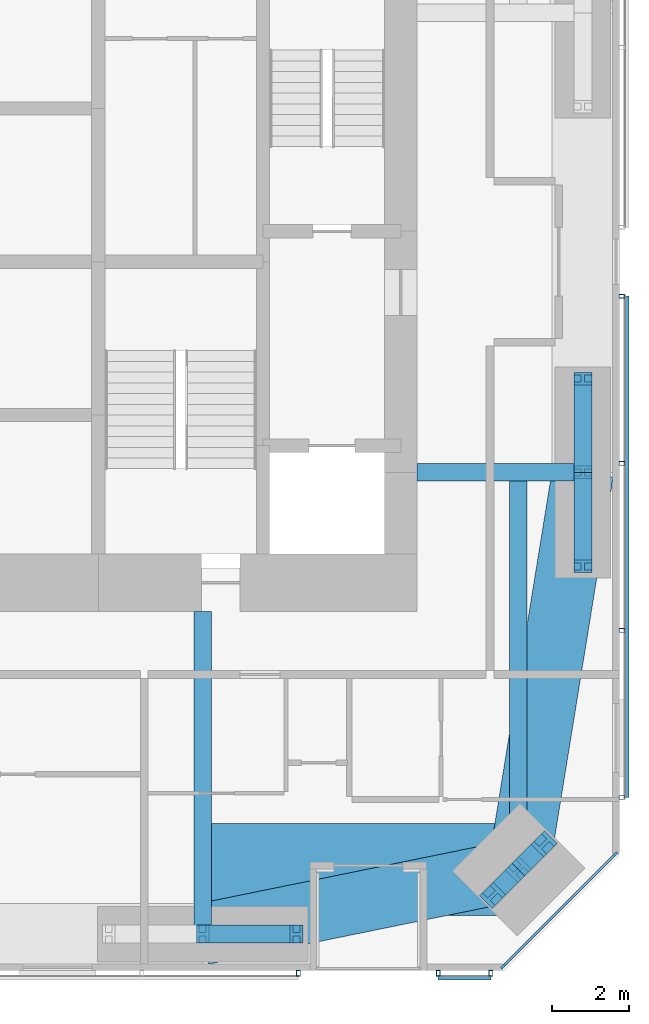
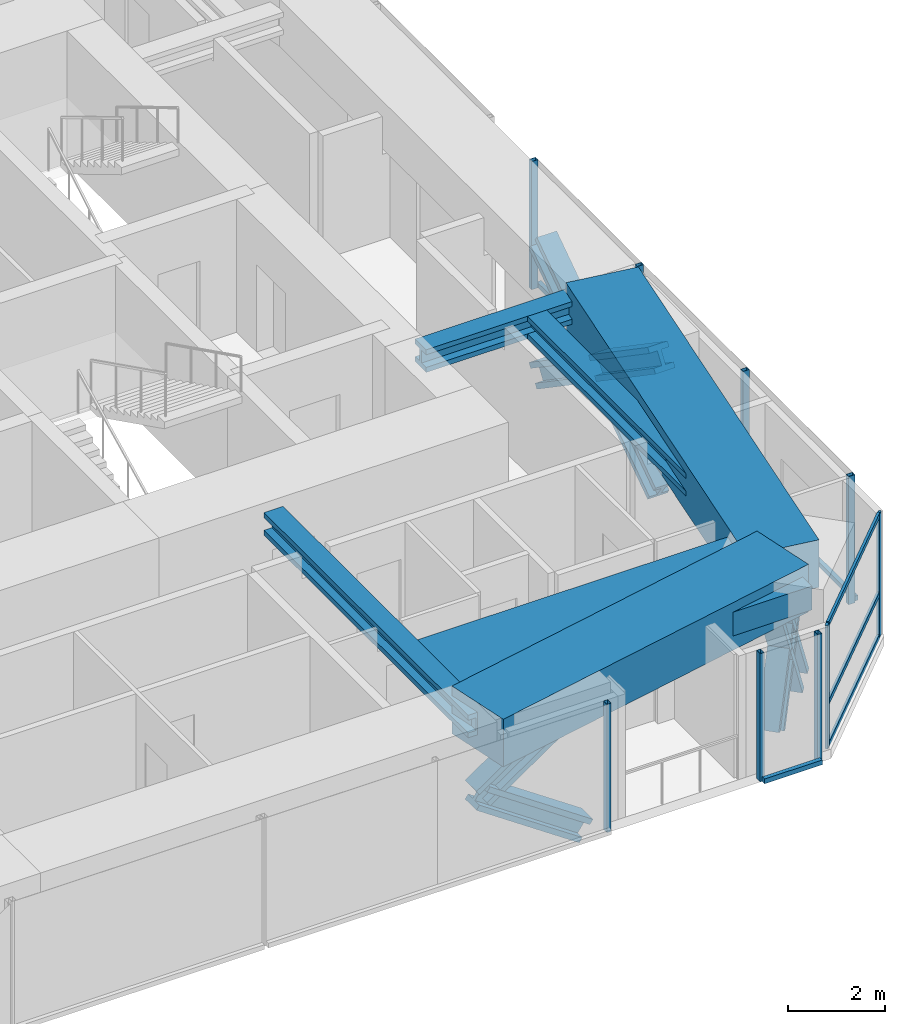
# One storey, part 8 of 23: 24 members, 6 beams, 4 elements without a shape of their own.
"""IFC4 building model written with IfcOpenShell, lengths in metres."""

from ifc_helpers import new_model, si_unit, direction, frame, origin, origin_2d, place, context, subcontext, project, spatial, rectangle, hollow_rectangle, i_section, extrude, material, material_profile, profile_set, type_object, element, aggregate, save


model = new_model("IFC4")

# Units and contexts
model_context = context("Model", 3, precision=1e-05, world=origin(), true_north=direction((0.0, 1.0)))
body_context = subcontext(model_context, "Body", "Model", "MODEL_VIEW")
ifc_project = project(units=[si_unit("LENGTHUNIT", "METRE"), si_unit("AREAUNIT", "SQUARE_METRE"), si_unit("VOLUMEUNIT", "CUBIC_METRE"), si_unit("PLANEANGLEUNIT", "RADIAN"), si_unit("MASSUNIT", "GRAM", prefix="KILO")], contexts=[model_context])

# Site, building, storey
site_placement = place(None, origin())
site = spatial("IfcSite", under=ifc_project, at=site_placement, CompositionType="ELEMENT")
building_placement = place(site_placement, origin())
building = spatial("IfcBuilding", under=site, at=building_placement, Name="Jalousie Tower", CompositionType="ELEMENT")
storey_placement = place(building_placement, frame((0.0, 0.0, 121.60009765625)))
storey = spatial("IfcBuildingStorey", under=building, at=storey_placement, Name="L33", CompositionType="ELEMENT", Elevation=121.60009765625)

# Curtain wall, members
ifc_material_1 = material(Name="Aluminium curtain wall", Category="aluminium")
curtain_wall_type_1 = type_object("IfcCurtainWallType", Name="CORNER WINDOW WALL", PredefinedType="USERDEFINED", material=ifc_material_1)
curtain_wall_1_placement = place(storey_placement, origin())
curtain_wall_1 = element("IfcCurtainWall", 1, at=curtain_wall_1_placement, inside=storey, type_object=curtain_wall_type_1, Name="Corner Window Wall L33 2", ObjectType="CORNER WINDOW WALL", PredefinedType="USERDEFINED")
ifc_material_2 = material(Name="Aluminium mullion", Category="aluminium")
ifc_material_profile_1 = material_profile(ifc_material_2, rectangle(XDim=0.06005859375, YDim=0.14990234375, at=origin_2d()), Name="MULLION 60x150")
ifc_profile_set_1 = profile_set([ifc_material_profile_1], Name="Aluminium mullion")
member_type_1 = type_object("IfcMemberType", Name="CORNER WINDOW WALL MULLION", PredefinedType="MULLION", material=ifc_profile_set_1)
member_1_placement = place(storey_placement, frame((46.469970703125, 0.108642578125, 0.0), z_axis=(0.0, 0.0, 1.0), x_axis=(-0.707106781187, 0.707106781187, 0.0)))
member_1 = element("IfcMember", 2, at=member_1_placement, type_object=member_type_1, Name="CW-C mullion 1", PredefinedType="MULLION", context=body_context, shape_type="SweptSolid", body=[
    extrude(rectangle(XDim=0.06005859375, YDim=0.14990234375, at=origin_2d()), origin(), (0.0, 0.0, 1.0), 3.10986328125),
])
member_2_placement = place(storey_placement, frame((49.391357421875, 3.030029296875, 0.0), z_axis=(0.0, 0.0, 1.0), x_axis=(-0.707106781187, 0.707106781187, 0.0)))
member_2 = element("IfcMember", 3, at=member_2_placement, type_object=member_type_1, Name="CW-C mullion 2", PredefinedType="MULLION", context=body_context, shape_type="SweptSolid", body=[
    extrude(rectangle(XDim=0.06005859375, YDim=0.14990234375, at=origin_2d()), origin(), (0.0, 0.0, 1.0), 3.10986328125),
])
ifc_material_3 = material(Name="Aluminium transom", Category="aluminium")
ifc_material_profile_2 = material_profile(ifc_material_3, rectangle(XDim=0.06005859375, YDim=0.1201171875, at=origin_2d()), Name="TRANSOM 60x120")
ifc_profile_set_2 = profile_set([ifc_material_profile_2], Name="Aluminium transom")
member_type_2 = type_object("IfcMemberType", Name="CORNER WINDOW WALL TRANSOM", PredefinedType="USERDEFINED", material=ifc_profile_set_2)
member_3_placement = place(storey_placement, frame((46.4912109375, 0.1298828125, 0.02978515625), z_axis=(0.707106781187, 0.707106781187, 0.0), x_axis=(-0.707106781187, 0.707106781187, 0.0)))
member_3 = element("IfcMember", 4, at=member_3_placement, type_object=member_type_2, Name="CW-C transom 1.1", ObjectType="TRANSOM", PredefinedType="USERDEFINED", context=body_context, shape_type="SweptSolid", body=[
    extrude(rectangle(XDim=0.06005859375, YDim=0.1201171875, at=origin_2d()), origin(), (0.0, 0.0, 1.0), 4.0712890625),
])
member_4_placement = place(storey_placement, frame((46.4912109375, 0.1298828125, 1.099853515625), z_axis=(0.707106781187, 0.707106781187, 0.0), x_axis=(-0.707106781187, 0.707106781187, 0.0)))
member_4 = element("IfcMember", 5, at=member_4_placement, type_object=member_type_2, Name="CW-C transom 1.2", ObjectType="TRANSOM", PredefinedType="USERDEFINED", context=body_context, shape_type="SweptSolid", body=[
    extrude(rectangle(XDim=0.06005859375, YDim=0.1201171875, at=origin_2d()), origin(), (0.0, 0.0, 1.0), 4.0712890625),
])
member_5_placement = place(storey_placement, frame((46.4912109375, 0.1298828125, 3.079833984375), z_axis=(0.707106781187, 0.707106781187, 0.0), x_axis=(-0.707106781187, 0.707106781187, 0.0)))
member_5 = element("IfcMember", 6, at=member_5_placement, type_object=member_type_2, Name="CW-C transom 1.3", ObjectType="TRANSOM", PredefinedType="USERDEFINED", context=body_context, shape_type="SweptSolid", body=[
    extrude(rectangle(XDim=0.06005859375, YDim=0.1201171875, at=origin_2d()), origin(), (0.0, 0.0, 1.0), 4.0712890625),
])
aggregate(curtain_wall_1, [member_1, member_2, member_3, member_4, member_5])

# Beams
ifc_material_4 = material(Name="Steel ASTM A992 Grade 50", Category="steel")
ifc_material_profile_3 = material_profile(ifc_material_4, i_section(OverallWidth=0.45458984375, OverallDepth=0.569091796875, WebThickness=0.077880859375, FlangeThickness=0.124755859375, at=origin_2d()), Name="W14X730")
ifc_profile_set_3 = profile_set([ifc_material_profile_3], Name="Steel ASTM A992 Grade 50")
beam_type_1 = type_object("IfcBeamType", Name="LEAN COLLECTOR W14X730", PredefinedType="BEAM", material=ifc_profile_set_3)
beam_1_placement = place(storey_placement, frame((38.625, 0.949951171875, 2.825439453125), z_axis=(0.0, 1.0, 0.0), x_axis=(-1.0, 0.0, 0.0)))
element("IfcBeam", 7, at=beam_1_placement, inside=storey, type_object=beam_type_1, Name="Lean collector under L34", PredefinedType="BEAM", context=body_context, shape_type="SweptSolid", body=[
    extrude(i_section(OverallWidth=0.45458984375, OverallDepth=0.569091796875, WebThickness=0.077880859375, FlangeThickness=0.124755859375, at=origin_2d()), origin(), (0.0, 0.0, 1.0), 8.425048828125),
])
beam_2_placement = place(storey_placement, frame((48.550048828125, 13.0, 2.825439453125), z_axis=(-1.0, 0.0, 0.0), x_axis=(0.0, -1.0, 0.0)))
element("IfcBeam", 8, at=beam_2_placement, inside=storey, type_object=beam_type_1, Name="Lean collector under L34", PredefinedType="BEAM", context=body_context, shape_type="SweptSolid", body=[
    extrude(i_section(OverallWidth=0.45458984375, OverallDepth=0.569091796875, WebThickness=0.077880859375, FlangeThickness=0.124755859375, at=origin_2d()), origin(), (0.0, 0.0, 1.0), 4.324951171875),
])
beam_3_placement = place(storey_placement, frame((46.86865234375, 2.63134765625, 2.825439453125), z_axis=(0.0, 1.0, 0.0), x_axis=(-1.0, 0.0, 0.0)))
element("IfcBeam", 9, at=beam_3_placement, inside=storey, type_object=beam_type_1, Name="Lean collector under L34", PredefinedType="BEAM", context=body_context, shape_type="SweptSolid", body=[
    extrude(i_section(OverallWidth=0.45458984375, OverallDepth=0.569091796875, WebThickness=0.077880859375, FlangeThickness=0.124755859375, at=origin_2d()), origin(), (0.0, 0.0, 1.0), 10.36865234375),
])

# Members
ifc_material_5 = material(Name="Steel ASTM A992 Grade 50", Category="steel")
ifc_material_profile_4 = material_profile(ifc_material_5, i_section(OverallWidth=0.472412109375, OverallDepth=0.5791015625, WebThickness=0.094970703125, FlangeThickness=0.1298828125, at=origin_2d()), Name="W14X808")
ifc_profile_set_4 = profile_set([ifc_material_profile_4], Name="Steel ASTM A992 Grade 50")
member_type_3 = type_object("IfcMemberType", Name="PERIMETER BRACE W14X808", PredefinedType="BRACE", material=ifc_profile_set_4)
for number, where, z_axis, x_axis, name in (
    (10, (38.625, 0.949951171875, 1.074951171875), (0.825500916831, 0.0, 0.564400776321), (0.0, 1.0, 0.0), "Perimeter brace 04 L33 part 2"),
    (11, (41.074951171875, 0.949951171875, -0.60009765625), (-0.825500916831, 0.0, 0.564400776321), (0.0, -1.0, 0.0), "Perimeter brace 04 L33 part 3"),
):
    element("IfcMember", number, at=place(storey_placement, frame(where, z_axis=z_axis, x_axis=x_axis)), inside=storey, type_object=member_type_3, Name=name, PredefinedType="BRACE", context=body_context, shape_type="SweptSolid", body=[
        extrude(i_section(OverallWidth=0.472412109375, OverallDepth=0.5791015625, WebThickness=0.094970703125, FlangeThickness=0.1298828125, at=origin_2d()), origin(), (0.0, 0.0, 1.0), 2.9677734375),
    ])
for number, where, z_axis, x_axis, name in (
    (12, (46.197021484375, 1.959716796875, -0.60009765625), (0.348789058631, 0.348789058631, 0.869880672943), (-0.707106781187, 0.707106781187, 0.0), "Perimeter brace 05 L33 part 1"),
    (13, (46.86865234375, 2.63134765625, 1.074951171875), (0.348789058631, 0.348789058631, 0.869880672943), (-0.707106781187, 0.707106781187, 0.0), "Perimeter brace 05 L33 part 2"),
    (14, (47.540283203125, 3.302978515625, -0.60009765625), (-0.348789058631, -0.348789058631, 0.869880672943), (0.707106781187, -0.707106781187, 0.0), "Perimeter brace 05 L33 part 3"),
    (15, (46.86865234375, 2.63134765625, 1.074951171875), (-0.348789058631, -0.348789058631, 0.869880672943), (0.707106781187, -0.707106781187, 0.0), "Perimeter brace 05 L33 part 4"),
):
    element("IfcMember", number, at=place(storey_placement, frame(where, z_axis=z_axis, x_axis=x_axis)), inside=storey, type_object=member_type_3, Name=name, PredefinedType="BRACE", context=body_context, shape_type="SweptSolid", body=[
        extrude(i_section(OverallWidth=0.472412109375, OverallDepth=0.5791015625, WebThickness=0.094970703125, FlangeThickness=0.1298828125, at=origin_2d()), origin(), (0.0, 0.0, 1.0), 1.925537109375),
    ])
for number, where, z_axis, x_axis, name in (
    (16, (48.550048828125, 10.550048828125, -0.60009765625), (0.0, 0.825500916831, 0.564400776321), (-1.0, 0.0, 0.0), "Perimeter brace 06 L33 part 1"),
    (17, (48.550048828125, 13.0, 1.074951171875), (0.0, 0.825500916831, 0.564400776321), (-1.0, 0.0, 0.0), "Perimeter brace 06 L33 part 2"),
    (18, (48.550048828125, 15.449951171875, -0.60009765625), (0.0, -0.825500916831, 0.564400776321), (1.0, 0.0, 0.0), "Perimeter brace 06 L33 part 3"),
    (19, (48.550048828125, 13.0, 1.074951171875), (0.0, -0.825500916831, 0.564400776321), (1.0, 0.0, 0.0), "Perimeter brace 06 L33 part 4"),
):
    element("IfcMember", number, at=place(storey_placement, frame(where, z_axis=z_axis, x_axis=x_axis)), inside=storey, type_object=member_type_3, Name=name, PredefinedType="BRACE", context=body_context, shape_type="SweptSolid", body=[
        extrude(i_section(OverallWidth=0.472412109375, OverallDepth=0.5791015625, WebThickness=0.094970703125, FlangeThickness=0.1298828125, at=origin_2d()), origin(), (0.0, 0.0, 1.0), 2.9677734375),
    ])

# Beams
ifc_material_6 = material(Name="Concrete f'c 40 MPa", Category="concrete")
ifc_material_profile_5 = material_profile(ifc_material_6, rectangle(XDim=1.60009765625, YDim=1.199951171875, at=origin_2d()), Name="RC 1600x1200")
ifc_profile_set_5 = profile_set([ifc_material_profile_5], Name="Concrete f'c 40 MPa")
beam_type_2 = type_object("IfcBeamType", Name="RC BEAM 1600x1200", PredefinedType="BEAM", material=ifc_profile_set_5)
beam_4_placement = place(storey_placement, frame((38.625, 0.949951171875, 2.75), z_axis=(0.97982690954, 0.199848010602, 0.0), x_axis=(-0.199848010602, 0.97982690954, 0.0)))
element("IfcBeam", 20, at=beam_4_placement, inside=storey, type_object=beam_type_2, Name="Edge band beam 04-05 under L34", PredefinedType="BEAM", context=body_context, shape_type="SweptSolid", body=[
    extrude(rectangle(XDim=1.60009765625, YDim=1.199951171875, at=origin_2d()), origin(), (0.0, 0.0, 1.0), 8.413330078125),
])
beam_5_placement = place(storey_placement, frame((46.86865234375, 2.63134765625, 2.75), z_axis=(0.160070546476, 0.987105577003, 0.0), x_axis=(-0.987105577003, 0.160070546476, 0.0)))
element("IfcBeam", 21, at=beam_5_placement, inside=storey, type_object=beam_type_2, Name="Edge band beam 05-06 under L34", PredefinedType="BEAM", context=body_context, shape_type="SweptSolid", body=[
    extrude(rectangle(XDim=1.60009765625, YDim=1.199951171875, at=origin_2d()), origin(), (0.0, 0.0, 1.0), 10.504150390625),
])
ifc_material_7 = material(Name="Concrete f'c 40 MPa", Category="concrete")
ifc_material_profile_6 = material_profile(ifc_material_7, rectangle(XDim=2.39990234375, YDim=0.60009765625, at=origin_2d()), Name="RC 2400x600")
ifc_profile_set_6 = profile_set([ifc_material_profile_6], Name="Concrete f'c 40 MPa")
beam_type_3 = type_object("IfcBeamType", Name="RC BEAM 2400x600", PredefinedType="BEAM", material=ifc_profile_set_6)
beam_6_placement = place(storey_placement, frame((46.86865234375, 2.63134765625, 2.809814453125), z_axis=(-1.0, 0.0, 0.0), x_axis=(0.0, -1.0, 0.0)))
element("IfcBeam", 22, at=beam_6_placement, inside=storey, type_object=beam_type_3, Name="Floor band beam under L34", PredefinedType="BEAM", context=body_context, shape_type="SweptSolid", body=[
    extrude(rectangle(XDim=2.39990234375, YDim=0.60009765625, at=origin_2d()), origin(), (0.0, 0.0, 1.0), 8.24365234375),
])

# Curtain wall, member
ifc_material_8 = material(Name="Perforated aluminium sheet", Category="aluminium")
curtain_wall_type_2 = type_object("IfcCurtainWallType", Name="SOLAR SCREEN SS-1", PredefinedType="USERDEFINED", material=ifc_material_8)
curtain_wall_2_placement = place(storey_placement, origin())
curtain_wall_2 = element("IfcCurtainWall", 23, at=curtain_wall_2_placement, inside=storey, type_object=curtain_wall_type_2, Name="Solar screen L33", ObjectType="SOLAR SCREEN SS-1", PredefinedType="USERDEFINED")
ifc_material_9 = material(Name="Steel ASTM A500 Grade C", Category="steel")
ifc_material_profile_7 = material_profile(ifc_material_9, hollow_rectangle(XDim=0.1015625, YDim=0.15234375, WallThickness=0.00634765625, at=origin_2d()), Name="HSS6X4X1/4")
ifc_profile_set_7 = profile_set([ifc_material_profile_7], Name="Steel ASTM A500 Grade C")
member_type_4 = type_object("IfcMemberType", Name="SOLAR SCREEN SS-1 MULLION", PredefinedType="MULLION", material=ifc_profile_set_7)
member_6_placement = place(storey_placement, frame((41.125, -0.0712890625, -0.1201171875), z_axis=(0.0, 0.0, 1.0), x_axis=(1.0, 0.0, 0.0)))
member_6 = element("IfcMember", 24, at=member_6_placement, type_object=member_type_4, Name="SS1 post 3", PredefinedType="MULLION", context=body_context, shape_type="SweptSolid", body=[
    extrude(hollow_rectangle(XDim=0.1015625, YDim=0.15234375, WallThickness=0.00634765625, at=origin_2d()), origin(), (0.0, 0.0, 1.0), 3.22998046875),
])
aggregate(curtain_wall_2, [member_6])

# Curtain wall, members
curtain_wall_3_placement = place(storey_placement, origin())
curtain_wall_3 = element("IfcCurtainWall", 25, at=curtain_wall_3_placement, inside=storey, type_object=curtain_wall_type_2, Name="Solar screen L33", ObjectType="SOLAR SCREEN SS-1", PredefinedType="USERDEFINED")
member_7_placement = place(storey_placement, frame((44.77490234375, -0.0712890625, -0.1201171875), z_axis=(0.0, 0.0, 1.0), x_axis=(1.0, 0.0, 0.0)))
member_7 = element("IfcMember", 26, at=member_7_placement, type_object=member_type_4, Name="SS1 post 1", PredefinedType="MULLION", context=body_context, shape_type="SweptSolid", body=[
    extrude(hollow_rectangle(XDim=0.1015625, YDim=0.15234375, WallThickness=0.00634765625, at=origin_2d()), origin(), (0.0, 0.0, 1.0), 3.22998046875),
])
member_8_placement = place(storey_placement, frame((46.148681640625, -0.0712890625, -0.1201171875), z_axis=(0.0, 0.0, 1.0), x_axis=(1.0, 0.0, 0.0)))
member_8 = element("IfcMember", 27, at=member_8_placement, type_object=member_type_4, Name="SS1 post 2", PredefinedType="MULLION", context=body_context, shape_type="SweptSolid", body=[
    extrude(hollow_rectangle(XDim=0.1015625, YDim=0.15234375, WallThickness=0.00634765625, at=origin_2d()), origin(), (0.0, 0.0, 1.0), 3.22998046875),
])

curtain_wall_4_placement = place(storey_placement, origin())
curtain_wall_4 = element("IfcCurtainWall", 28, at=curtain_wall_4_placement, inside=storey, type_object=curtain_wall_type_2, Name="Solar screen L33", ObjectType="SOLAR SCREEN SS-1", PredefinedType="USERDEFINED")
member_9_placement = place(storey_placement, frame((49.5712890625, 4.513916015625, -0.1201171875), z_axis=(0.0, 0.0, 1.0), x_axis=(0.0, 1.0, 0.0)))
member_9 = element("IfcMember", 29, at=member_9_placement, type_object=member_type_4, Name="SS1 post 1", PredefinedType="MULLION", context=body_context, shape_type="SweptSolid", body=[
    extrude(hollow_rectangle(XDim=0.1015625, YDim=0.15234375, WallThickness=0.00634765625, at=origin_2d()), origin(), (0.0, 0.0, 1.0), 3.22998046875),
])
member_10_placement = place(storey_placement, frame((49.5712890625, 8.8759765625, -0.1201171875), z_axis=(0.0, 0.0, 1.0), x_axis=(0.0, 1.0, 0.0)))
member_10 = element("IfcMember", 30, at=member_10_placement, type_object=member_type_4, Name="SS1 post 2", PredefinedType="MULLION", context=body_context, shape_type="SweptSolid", body=[
    extrude(hollow_rectangle(XDim=0.1015625, YDim=0.15234375, WallThickness=0.00634765625, at=origin_2d()), origin(), (0.0, 0.0, 1.0), 3.22998046875),
])
member_11_placement = place(storey_placement, frame((49.5712890625, 13.23779296875, -0.1201171875), z_axis=(0.0, 0.0, 1.0), x_axis=(0.0, 1.0, 0.0)))
member_11 = element("IfcMember", 31, at=member_11_placement, type_object=member_type_4, Name="SS1 post 3", PredefinedType="MULLION", context=body_context, shape_type="SweptSolid", body=[
    extrude(hollow_rectangle(XDim=0.1015625, YDim=0.15234375, WallThickness=0.00634765625, at=origin_2d()), origin(), (0.0, 0.0, 1.0), 3.22998046875),
])
member_12_placement = place(storey_placement, frame((49.5712890625, 17.60009765625, -0.1201171875), z_axis=(0.0, 0.0, 1.0), x_axis=(0.0, 1.0, 0.0)))
member_12 = element("IfcMember", 32, at=member_12_placement, type_object=member_type_4, Name="SS1 post 4", PredefinedType="MULLION", context=body_context, shape_type="SweptSolid", body=[
    extrude(hollow_rectangle(XDim=0.1015625, YDim=0.15234375, WallThickness=0.00634765625, at=origin_2d()), origin(), (0.0, 0.0, 1.0), 3.22998046875),
])

# Member
ifc_material_10 = material(Name="Extruded aluminium screen rail", Category="aluminium")
ifc_material_profile_8 = material_profile(ifc_material_10, rectangle(XDim=0.1015625, YDim=0.1201171875, at=origin_2d()), Name="RAIL 102x120")
ifc_profile_set_8 = profile_set([ifc_material_profile_8], Name="Extruded aluminium screen rail")
member_type_5 = type_object("IfcMemberType", Name="SOLAR SCREEN SS-1 TRANSOM", PredefinedType="USERDEFINED", material=ifc_profile_set_8)
member_13_placement = place(storey_placement, frame((44.77490234375, -0.1982421875, -0.06005859375), z_axis=(1.0, 0.0, 0.0), x_axis=(0.0, 1.0, 0.0)))
member_13 = element("IfcMember", 33, at=member_13_placement, type_object=member_type_5, Name="SS1 rail", ObjectType="TRANSOM", PredefinedType="USERDEFINED", context=body_context, shape_type="SweptSolid", body=[
    extrude(rectangle(XDim=0.1015625, YDim=0.1201171875, at=origin_2d()), origin(), (0.0, 0.0, 1.0), 1.373779296875),
])

aggregate(curtain_wall_3, [member_7, member_8, member_13])

member_14_placement = place(storey_placement, frame((49.6982421875, 4.513916015625, -0.06005859375), z_axis=(0.0, 1.0, 0.0), x_axis=(-1.0, 0.0, 0.0)))
member_14 = element("IfcMember", 34, at=member_14_placement, type_object=member_type_5, Name="SS1 rail", ObjectType="TRANSOM", PredefinedType="USERDEFINED", context=body_context, shape_type="SweptSolid", body=[
    extrude(rectangle(XDim=0.1015625, YDim=0.1201171875, at=origin_2d()), origin(), (0.0, 0.0, 1.0), 13.086181640625),
])

aggregate(curtain_wall_4, [member_9, member_10, member_11, member_12, member_14])

save(model, "model.ifc")
